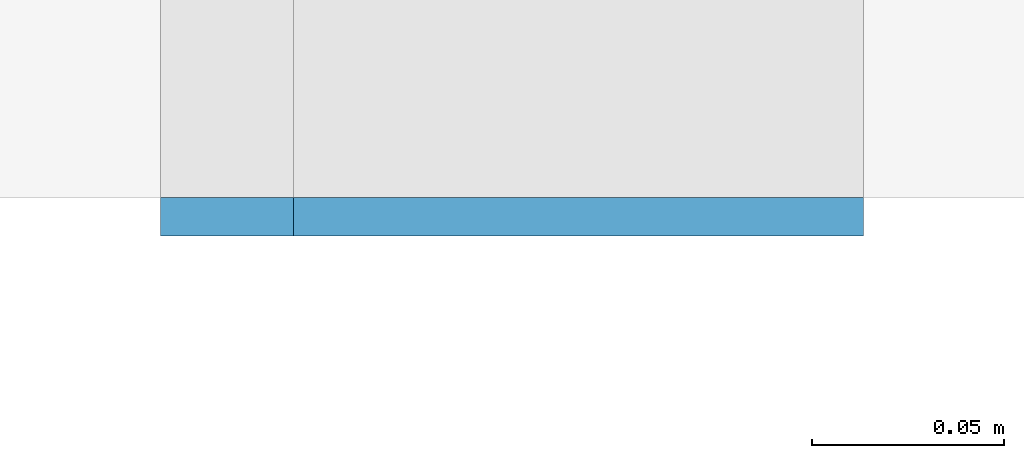
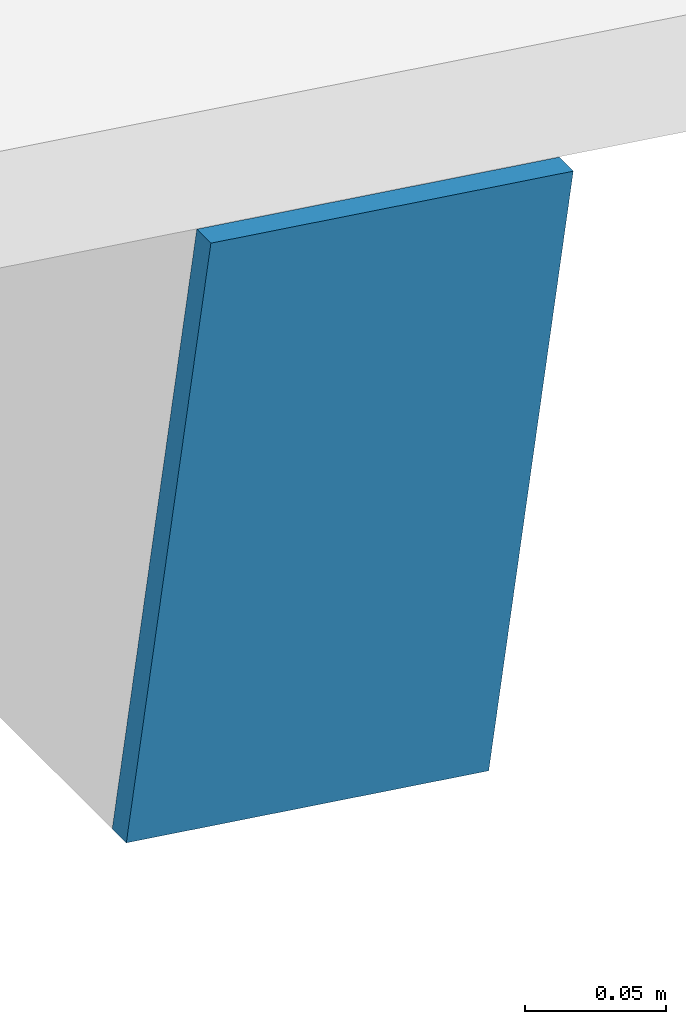
# One storey, part 28 of 52: 1 discrete accessory.
"""IFC4 building model written with IfcOpenShell, lengths in metres."""

import ifcopenshell
import ifcopenshell.guid

model = None  # the IFC model being written
_history = None  # IfcOwnerHistory: only IFC2X3 demands one
_inside = {}  # id of a spatial element -> (the spatial element, [elements in it])
_under = {}  # id of a project, library or spatial element -> (it, [spatial elements below it])
_declared = {}  # id of a project -> (the project, [libraries it declares])
_typed = {}  # id of a type object -> (the type object, [elements of that type])
_made_of = {}  # id of a material, layer set ... -> (it, [elements and type objects made of it])


def new_model(schema):
    """Start an empty IFC model of exactly this schema.

    Asked for "IFC4X3", IfcOpenShell would pick the latest addendum, in which some entities
    have other attributes; the version numbers below select the first issue.
    IFC2X3 requires an IfcOwnerHistory on every rooted entity: one is made here for all.
    """
    global model, _history
    if schema == "IFC4X3":
        model = ifcopenshell.file(schema_version=(4, 3, 0, 0))
    else:
        model = ifcopenshell.file(schema=schema)
    _inside.clear()
    _under.clear()
    _declared.clear()
    _typed.clear()
    _made_of.clear()
    _history = None
    if model.schema == "IFC2X3":
        org = make("IfcOrganization", Name="unknown")
        user = make(
            "IfcPersonAndOrganization",
            ThePerson=make("IfcPerson", FamilyName="unknown"),
            TheOrganization=org,
        )
        app = make(
            "IfcApplication",
            ApplicationDeveloper=org,
            Version="unknown",
            ApplicationFullName="unknown",
            ApplicationIdentifier="unknown",
        )
        _history = make(
            "IfcOwnerHistory",
            OwningUser=user,
            OwningApplication=app,
            ChangeAction="ADDED",
            CreationDate=0,
        )
    return model


def make(cls, **values):
    """One entity of the class cls with the attributes given. An attribute that is None is left unset."""
    return model.create_entity(
        cls, **{name: value for name, value in values.items() if value is not None}
    )


def rooted(cls, **values):
    """An entity with a GlobalId (a new one), such as an element, a storey or a relation."""
    return make(cls, GlobalId=ifcopenshell.guid.new(), OwnerHistory=_history, **values)


def si_unit(unit_type, name, prefix=None):
    """IfcSIUnit, for example si_unit("LENGTHUNIT", "METRE", prefix="MILLI")."""
    return make("IfcSIUnit", UnitType=unit_type, Prefix=prefix, Name=name)


def assignment(units):
    """IfcUnitAssignment: the units of a project."""
    return None if units is None else make("IfcUnitAssignment", Units=units)


def point(xyz):
    """IfcCartesianPoint."""
    return None if xyz is None else make("IfcCartesianPoint", Coordinates=xyz)


def direction(xyz):
    """IfcDirection."""
    return None if xyz is None else make("IfcDirection", DirectionRatios=xyz)


def frame(location, z_axis=None, x_axis=None):
    """IfcAxis2Placement3D, a coordinate frame: its origin and axes. An axis left out is left unset."""
    return make(
        "IfcAxis2Placement3D",
        Location=point(location),
        Axis=direction(z_axis),
        RefDirection=direction(x_axis),
    )


def frame_2d(location, x_axis=None):
    """IfcAxis2Placement2D, a coordinate frame in the plane: its origin and x axis."""
    return make(
        "IfcAxis2Placement2D", Location=point(location), RefDirection=direction(x_axis)
    )


def origin():
    """The frame at (0, 0, 0) with its axes left unset."""
    return frame((0.0, 0.0, 0.0))


def origin_2d():
    """The frame at (0, 0) in the plane with its x axis left unset."""
    return frame_2d((0.0, 0.0))


def place(relative_to, where):
    """IfcLocalPlacement: puts the frame where relative to a parent placement (None: the world)."""
    return make(
        "IfcLocalPlacement", PlacementRelTo=relative_to, RelativePlacement=where
    )


def context(
    kind, dimensions, precision=None, world=None, true_north=None, identifier=None
):
    """IfcGeometricRepresentationContext, for example the 3D "Model" context."""
    return make(
        "IfcGeometricRepresentationContext",
        ContextIdentifier=identifier,
        ContextType=kind,
        CoordinateSpaceDimension=dimensions,
        Precision=precision,
        WorldCoordinateSystem=world,
        TrueNorth=true_north,
    )


def subcontext(parent, identifier, kind, view, scale=None):
    """IfcGeometricRepresentationSubContext, for example "Body" below "Model"."""
    return make(
        "IfcGeometricRepresentationSubContext",
        ContextIdentifier=identifier,
        ContextType=kind,
        ParentContext=parent,
        TargetScale=scale,
        TargetView=view,
    )


def project(units=None, contexts=None):
    """IfcProject with its units and contexts."""
    return rooted(
        "IfcProject",
        Name="project",
        RepresentationContexts=contexts,
        UnitsInContext=assignment(units),
    )


def spatial(cls, under=None, at=None, **own):
    """A site, building, storey or space (cls), placed at a placement, below another one or the project."""
    s = rooted(cls, ObjectPlacement=at, **own)
    if under is not None:
        _under.setdefault(under.id(), (under, []))[1].append(s)
    return s


def profile(cls, at=None, kind="AREA", **sizes):
    """A parametric profile (cls). Its sizes go by their IFC names, for example OverallWidth=200.0."""
    return make(cls, ProfileType=kind, Position=at, **sizes)


def rectangle(**sizes):
    """IfcRectangleProfileDef."""
    return profile("IfcRectangleProfileDef", **sizes)


def extrude(swept, where, along, depth):
    """IfcExtrudedAreaSolid: the profile swept, set in the frame where, extruded along a direction by depth."""
    return make(
        "IfcExtrudedAreaSolid",
        SweptArea=swept,
        Position=where,
        ExtrudedDirection=direction(along),
        Depth=depth,
    )


def shape(context_of_items, identifier, shape_type, items):
    """IfcShapeRepresentation: the items that make up one representation, for example the "Body"."""
    return make(
        "IfcShapeRepresentation",
        ContextOfItems=context_of_items,
        RepresentationIdentifier=identifier,
        RepresentationType=shape_type,
        Items=items,
    )


def material(Name=None, Category=None):
    """IfcMaterial."""
    return make("IfcMaterial", Name=Name, Category=Category)


def material_profile(
    of_material, cross_section, Name=None, Category=None, Priority=None
):
    """IfcMaterialProfile: a cross section and its material."""
    return make(
        "IfcMaterialProfile",
        Name=Name,
        Material=of_material,
        Profile=cross_section,
        Priority=Priority,
        Category=Category,
    )


def profile_set(profiles, Name=None, composite=None):
    """IfcMaterialProfileSet."""
    return make(
        "IfcMaterialProfileSet",
        Name=Name,
        MaterialProfiles=profiles,
        CompositeProfile=composite,
    )


def made_of(thing, what):
    """Note that an element or type object is made of a material, layer set ...; save() writes the relation."""
    if what is not None:
        _made_of.setdefault(what.id(), (what, []))[1].append(thing)
    return thing


def type_object(cls, material=None, **own):
    """A type object (cls), such as IfcWallType, which elements share."""
    return made_of(rooted(cls, **own), material)


def element(
    cls,
    number,
    at=None,
    inside=None,
    cuts=None,
    type_object=None,
    material=None,
    context=None,
    identifier="Body",
    shape_type=None,
    held_by="IfcProductDefinitionShape",
    body=None,
    shapes=None,
    **own,
):
    """One element of the class cls, such as IfcWall. Its Tag is "e" and its number.

    at: its placement. inside: the storey or other place that contains it. cuts: it is an
    opening in that element (IfcRelVoidsElement). A single representation is given by context,
    identifier, shape_type and body (its items); several are given by shapes. held_by: the class
    of the entity that holds the representations. save() writes the other relations.
    """
    e = rooted(cls, Tag="e%d" % number, ObjectPlacement=at, **own)
    if body is not None:
        shapes = [shape(context, identifier, shape_type, body)]
    if shapes is not None:
        e.Representation = make(held_by, Representations=shapes)
    if inside is not None:
        _inside.setdefault(inside.id(), (inside, []))[1].append(e)
    if cuts is not None:
        rooted(
            "IfcRelVoidsElement", RelatingBuildingElement=cuts, RelatedOpeningElement=e
        )
    if type_object is not None:
        _typed.setdefault(type_object.id(), (type_object, []))[1].append(e)
    return made_of(e, material)


def aggregate(whole, parts):
    """IfcRelAggregates: a whole, such as a stair, and the parts it consists of."""
    return rooted("IfcRelAggregates", RelatingObject=whole, RelatedObjects=parts)


def save(model, path):
    """Write the relations noted so far, then the file.

    IfcRelAggregates (storeys below a building ...), IfcRelContainedInSpatialStructure (elements
    in a storey), IfcRelDefinesByType, IfcRelAssociatesMaterial and IfcRelDeclares: one each for
    every whole, place, type object, material and project.
    """
    for whole, parts in _under.values():
        aggregate(whole, parts)
    for where, things in _inside.values():
        rooted(
            "IfcRelContainedInSpatialStructure",
            RelatedElements=things,
            RelatingStructure=where,
        )
    for kind, things in _typed.values():
        rooted("IfcRelDefinesByType", RelatedObjects=things, RelatingType=kind)
    for what, things in _made_of.values():
        rooted("IfcRelAssociatesMaterial", RelatedObjects=things, RelatingMaterial=what)
    for by, libraries in _declared.values():
        rooted("IfcRelDeclares", RelatingContext=by, RelatedDefinitions=libraries)
    model.write(path)


model = new_model("IFC4")

# Units and contexts
model_context = context("Model", 3, precision=1e-05, world=origin(), true_north=direction((0.0, 1.0)))
body_context = subcontext(model_context, "Body", "Model", "MODEL_VIEW")
ifc_project = project(units=[si_unit("LENGTHUNIT", "METRE"), si_unit("AREAUNIT", "SQUARE_METRE"), si_unit("VOLUMEUNIT", "CUBIC_METRE"), si_unit("PLANEANGLEUNIT", "RADIAN"), si_unit("MASSUNIT", "GRAM", prefix="KILO")], contexts=[model_context])

# Site, building, storey
site_placement = place(None, origin())
site = spatial("IfcSite", under=ifc_project, at=site_placement, CompositionType="ELEMENT")
building_placement = place(site_placement, origin())
building = spatial("IfcBuilding", under=site, at=building_placement, Name="Cour d'Honneur Mobility Palace", CompositionType="ELEMENT")
storey_placement = place(building_placement, frame((0.0, 0.0, 23.0)))
storey = spatial("IfcBuildingStorey", under=building, at=storey_placement, Name="L06", CompositionType="ELEMENT", Elevation=23.0)

# Discrete accessory
ifc_material = material(Name="Steel S355", Category="steel")
ifc_material_profile = material_profile(ifc_material, rectangle(XDim=0.14990234375, YDim=0.25, at=origin_2d()), Name="PL 250x150x10")
ifc_profile_set = profile_set([ifc_material_profile], Name="Steel S355")
discrete_accessory_type = type_object("IfcDiscreteAccessoryType", Name="End cap plate RHS 250x150x10", PredefinedType="USERDEFINED", material=ifc_profile_set)
discrete_accessory_placement = place(storey_placement, frame((13.125, 66.139892578125, 1.309814453125), z_axis=(0.0, 1.0, 0.0), x_axis=(-0.990349673475, 0.0, 0.138591212736)))
element("IfcDiscreteAccessory", 1, at=discrete_accessory_placement, inside=storey, type_object=discrete_accessory_type, Name="End cap plate EC-TU-C10.1-1", ObjectType="END CAP PLATE", PredefinedType="USERDEFINED", context=body_context, shape_type="SweptSolid", body=[
    extrude(rectangle(XDim=0.14990234375, YDim=0.25, at=origin_2d()), origin(), (0.0, 0.0, 1.0), 0.010009765625),
])

save(model, "model.ifc")
